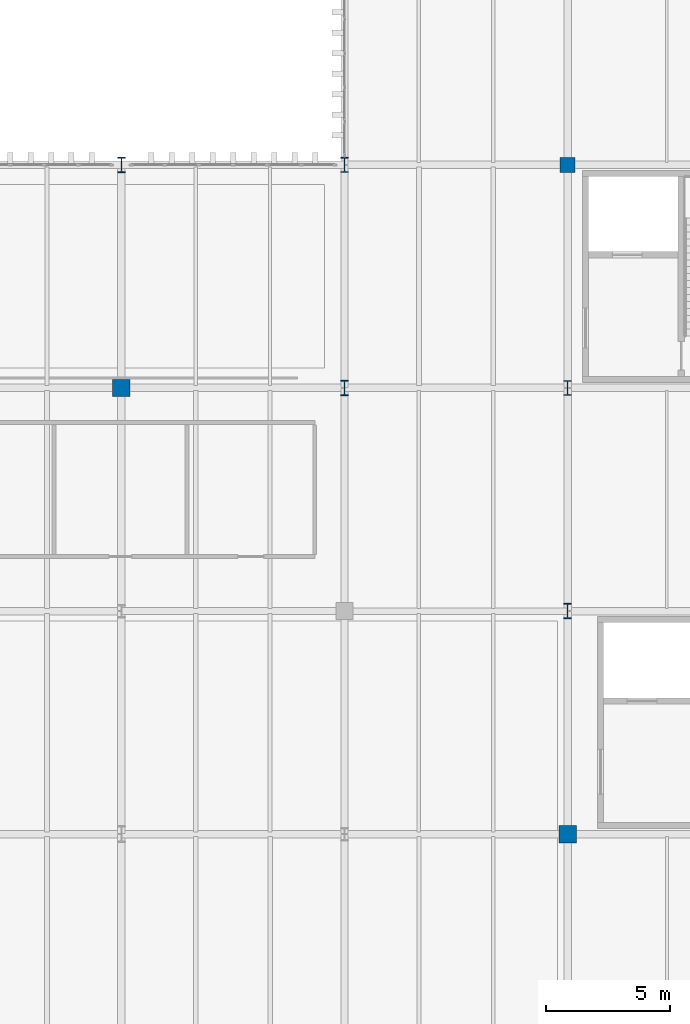
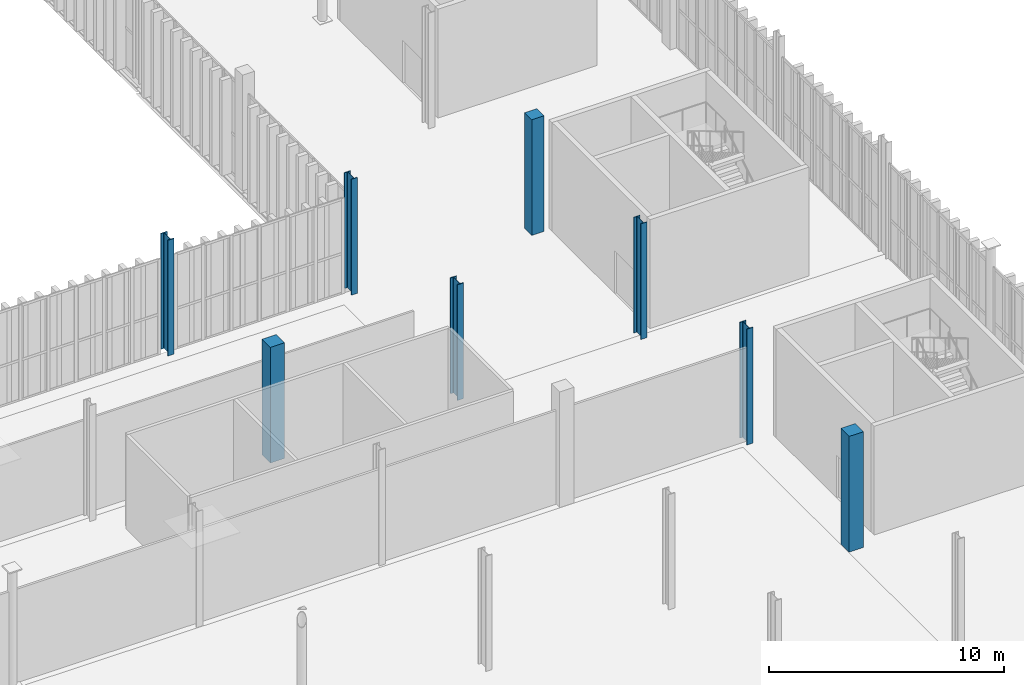
# One storey, part 16 of 211: 8 columns.
"""IFC4 building model written with IfcOpenShell, lengths in metres."""

from ifc_helpers import new_model, si_unit, direction, frame, origin, origin_2d, place, context, subcontext, project, spatial, rectangle, i_section, extrude, material, material_profile, profile_set, type_object, element, save


model = new_model("IFC4")

# Units and contexts
model_context = context("Model", 3, precision=1e-05, world=origin(), true_north=direction((0.0, 1.0)))
body_context = subcontext(model_context, "Body", "Model", "MODEL_VIEW")
ifc_project = project(units=[si_unit("LENGTHUNIT", "METRE"), si_unit("AREAUNIT", "SQUARE_METRE"), si_unit("VOLUMEUNIT", "CUBIC_METRE"), si_unit("PLANEANGLEUNIT", "RADIAN"), si_unit("MASSUNIT", "GRAM", prefix="KILO")], contexts=[model_context])

# Site, building, storey
site_placement = place(None, origin())
site = spatial("IfcSite", under=ifc_project, at=site_placement, CompositionType="ELEMENT")
building_placement = place(site_placement, origin())
building = spatial("IfcBuilding", under=site, at=building_placement, Name="Barlavento Convention Centre", CompositionType="ELEMENT")
storey_placement = place(building_placement, frame((0.0, 0.0, 6.0)))
storey = spatial("IfcBuildingStorey", under=building, at=storey_placement, Name="L01", CompositionType="ELEMENT", Elevation=6.0)

# Columns
ifc_material_1 = material(Name="Steel S355", Category="steel")
ifc_material_profile_1 = material_profile(ifc_material_1, i_section(OverallWidth=0.300048828125, OverallDepth=0.60009765625, WebThickness=0.015380859375, FlangeThickness=0.030029296875, FilletRadius=0.027099609375, at=origin_2d()), Name="HEB 600")
ifc_profile_set_1 = profile_set([ifc_material_profile_1], Name="Steel S355")
column_type_1 = type_object("IfcColumnType", Name="STR-COL-HEB600", PredefinedType="COLUMN", material=ifc_profile_set_1)
for number, where, z_axis, x_axis, name in (
    (1, (171.0, 63.0, 0.0), (0.0, 0.0, 1.0), (1.0, 0.0, 0.0), "L01 column SC08"),
    (2, (180.0, 54.0, 0.0), (0.0, 0.0, 1.0), (1.0, 0.0, 0.0), "L01 column SC08"),
):
    element("IfcColumn", number, at=place(storey_placement, frame(where, z_axis=z_axis, x_axis=x_axis)), inside=storey, type_object=column_type_1, Name=name, PredefinedType="COLUMN", context=body_context, shape_type="SweptSolid", body=[
        extrude(i_section(OverallWidth=0.300048828125, OverallDepth=0.60009765625, WebThickness=0.015380859375, FlangeThickness=0.030029296875, FilletRadius=0.027099609375, at=origin_2d()), origin(), (0.0, 0.0, 1.0), 6.0),
    ])
ifc_material_profile_2 = material_profile(ifc_material_1, i_section(OverallWidth=0.304931640625, OverallDepth=0.6201171875, WebThickness=0.02099609375, FlangeThickness=0.0400390625, FilletRadius=0.027099609375, at=origin_2d()), Name="HEM 600")
ifc_profile_set_2 = profile_set([ifc_material_profile_2], Name="Steel S355")
column_type_2 = type_object("IfcColumnType", Name="STR-COL-HEM600", PredefinedType="COLUMN", material=ifc_profile_set_2)
for number, where, z_axis, x_axis, name in (
    (3, (162.0, 63.0, 0.0), (0.0, 0.0, 1.0), (1.0, 0.0, 0.0), "L01 column SC05"),
    (4, (171.0, 54.0, 0.0), (0.0, 0.0, 1.0), (1.0, 0.0, 0.0), "L01 column SC05"),
    (5, (180.0, 45.0, 0.0), (0.0, 0.0, 1.0), (1.0, 0.0, 0.0), "L01 column SC05"),
):
    element("IfcColumn", number, at=place(storey_placement, frame(where, z_axis=z_axis, x_axis=x_axis)), inside=storey, type_object=column_type_2, Name=name, PredefinedType="COLUMN", context=body_context, shape_type="SweptSolid", body=[
        extrude(i_section(OverallWidth=0.304931640625, OverallDepth=0.6201171875, WebThickness=0.02099609375, FlangeThickness=0.0400390625, FilletRadius=0.027099609375, at=origin_2d()), origin(), (0.0, 0.0, 1.0), 6.0),
    ])
ifc_material_2 = material(Name="Concrete C40/50", Category="concrete")
ifc_material_profile_3 = material_profile(ifc_material_2, rectangle(XDim=0.60009765625, YDim=0.60009765625, at=origin_2d()), Name="RC 600x600")
ifc_profile_set_3 = profile_set([ifc_material_profile_3], Name="Concrete C40/50")
column_type_3 = type_object("IfcColumnType", Name="STR-COL-RC600", PredefinedType="COLUMN", material=ifc_profile_set_3)
column_placement = place(storey_placement, frame((180.0, 63.0, 0.0), z_axis=(0.0, 0.0, 1.0), x_axis=(1.0, 0.0, 0.0)))
element("IfcColumn", 6, at=column_placement, inside=storey, type_object=column_type_3, Name="L01 column CC07", PredefinedType="COLUMN", context=body_context, shape_type="SweptSolid", body=[
    extrude(rectangle(XDim=0.60009765625, YDim=0.60009765625, at=origin_2d()), origin(), (0.0, 0.0, 1.0), 6.0),
])
ifc_material_profile_4 = material_profile(ifc_material_2, rectangle(XDim=0.699951171875, YDim=0.699951171875, at=origin_2d()), Name="RC 700x700")
ifc_profile_set_4 = profile_set([ifc_material_profile_4], Name="Concrete C40/50")
column_type_4 = type_object("IfcColumnType", Name="STR-COL-RC700", PredefinedType="COLUMN", material=ifc_profile_set_4)
for number, where, z_axis, x_axis, name in (
    (7, (162.0, 54.0, 0.0), (0.0, 0.0, 1.0), (1.0, 0.0, 0.0), "L01 column CC06"),
    (8, (180.0, 36.0, 0.0), (0.0, 0.0, 1.0), (1.0, 0.0, 0.0), "L01 column CC06"),
):
    element("IfcColumn", number, at=place(storey_placement, frame(where, z_axis=z_axis, x_axis=x_axis)), inside=storey, type_object=column_type_4, Name=name, PredefinedType="COLUMN", context=body_context, shape_type="SweptSolid", body=[
        extrude(rectangle(XDim=0.699951171875, YDim=0.699951171875, at=origin_2d()), origin(), (0.0, 0.0, 1.0), 6.0),
    ])

save(model, "model.ifc")
